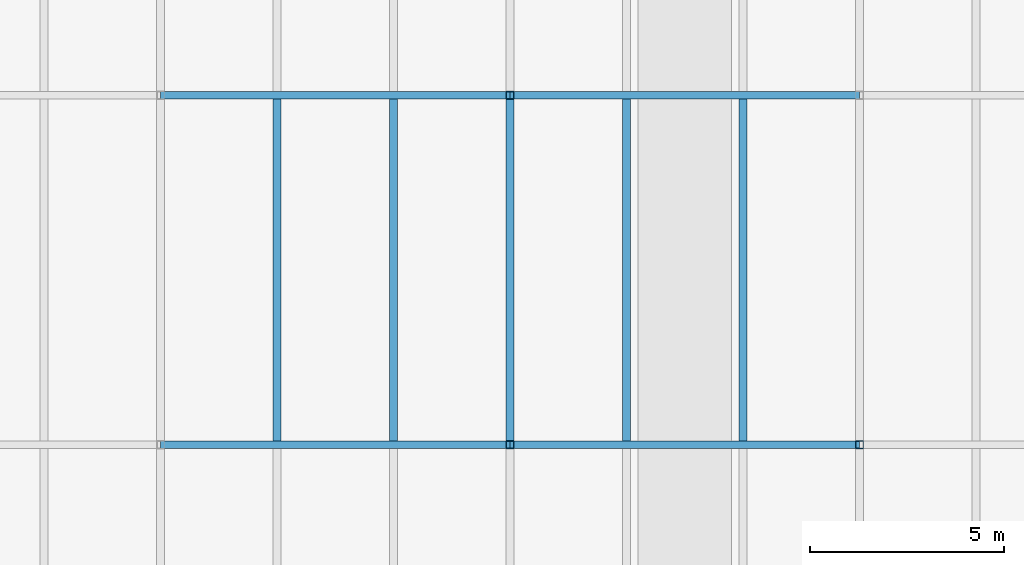
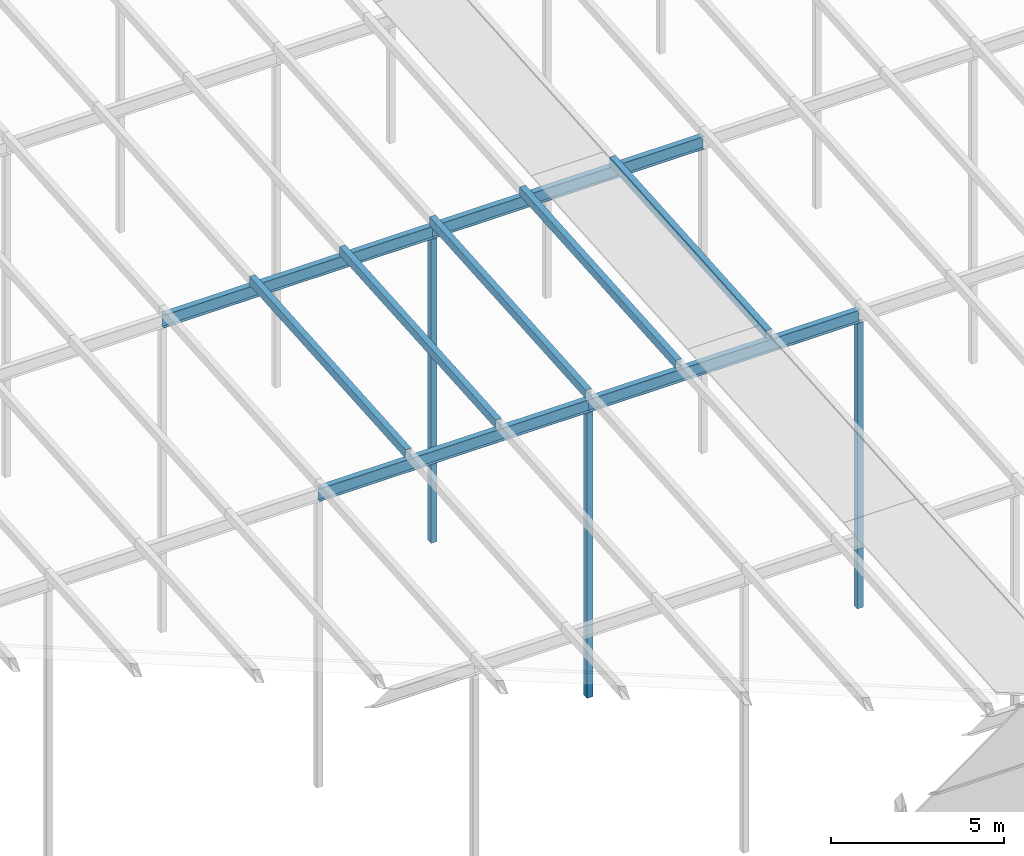
# One storey, part 8 of 84: 8 members, 4 beams.
"""IFC4 building model written with IfcOpenShell, lengths in metres."""

from ifc_helpers import new_model, si_unit, direction, frame, origin, origin_2d, place, context, subcontext, project, spatial, hollow_rectangle, i_section, extrude, material, material_profile, profile_set, type_object, element, save


model = new_model("IFC4")

# Units and contexts
model_context = context("Model", 3, precision=1e-05, world=origin(), true_north=direction((0.0, 1.0)))
body_context = subcontext(model_context, "Body", "Model", "MODEL_VIEW")
ifc_project = project(units=[si_unit("LENGTHUNIT", "METRE"), si_unit("AREAUNIT", "SQUARE_METRE"), si_unit("VOLUMEUNIT", "CUBIC_METRE"), si_unit("PLANEANGLEUNIT", "RADIAN"), si_unit("MASSUNIT", "GRAM", prefix="KILO")], contexts=[model_context])

# Site, building, storey
site_placement = place(None, origin())
site = spatial("IfcSite", under=ifc_project, at=site_placement, CompositionType="ELEMENT")
building_placement = place(site_placement, origin())
building = spatial("IfcBuilding", under=site, at=building_placement, Name="Silverbay Arena", CompositionType="ELEMENT")
storey_placement = place(building_placement, frame((0.0, 0.0, 47.10009765625)))
storey = spatial("IfcBuildingStorey", under=building, at=storey_placement, Name="ROOF", CompositionType="ELEMENT", Elevation=47.10009765625)

# Members
ifc_material_1 = material(Name="Steel S355", Category="steel")
ifc_material_profile_1 = material_profile(ifc_material_1, hollow_rectangle(XDim=0.199951171875, YDim=0.300048828125, WallThickness=0.00634765625, at=origin_2d()), Name="RHS 300x200x6.3")
ifc_profile_set_1 = profile_set([ifc_material_profile_1], Name="Steel S355")
member_type_1 = type_object("IfcMemberType", Name="Purlin RHS 300x200x6.3", PredefinedType="PURLIN", material=ifc_profile_set_1)
for number, where, z_axis, x_axis, name in (
    (1, (102.0, 45.0, 10.049560546875), (0.0, 0.997402911363, 0.072023832195), (-1.0, 0.0, 0.0), "ROOF PURLIN crown line 08 bay 03"),
    (2, (105.0, 45.0, 10.049560546875), (0.0, 0.997402911363, 0.072023832195), (-1.0, 0.0, 0.0), "ROOF PURLIN crown line 09 bay 03"),
    (3, (108.0, 45.0, 10.049560546875), (0.0, 0.997402911363, 0.072023832195), (-1.0, 0.0, 0.0), "ROOF PURLIN crown line 10 bay 03"),
    (4, (111.0, 45.0, 10.049560546875), (0.0, 0.997402911363, 0.072023832195), (-1.0, 0.0, 0.0), "ROOF PURLIN crown line 11 bay 03"),
    (5, (114.0, 45.0, 10.049560546875), (0.0, 0.997402911363, 0.072023832195), (-1.0, 0.0, 0.0), "ROOF PURLIN crown line 12 bay 03"),
):
    element("IfcMember", number, at=place(storey_placement, frame(where, z_axis=z_axis, x_axis=x_axis)), inside=storey, type_object=member_type_1, Name=name, PredefinedType="PURLIN", context=body_context, shape_type="SweptSolid", body=[
        extrude(hollow_rectangle(XDim=0.199951171875, YDim=0.300048828125, WallThickness=0.00634765625, at=origin_2d()), origin(), (0.0, 0.0, 1.0), 9.0234375),
    ])

# Beams
ifc_material_2 = material(Name="Steel S355", Category="steel")
ifc_material_profile_2 = material_profile(ifc_material_2, i_section(OverallWidth=0.18994140625, OverallDepth=0.453369140625, WebThickness=0.008544921875, FlangeThickness=0.0126953125, at=origin_2d()), Name="UB 457x191x67")
ifc_profile_set_2 = profile_set([ifc_material_profile_2], Name="Steel S355")
beam_type = type_object("IfcBeamType", Name="Ring beam UB 457x191x67", PredefinedType="BEAM", material=ifc_profile_set_2)
for number, where, z_axis, x_axis, name in (
    (6, (99.0, 45.0, 9.67236328125), (1.0, 0.0, 0.0), (0.0, 1.0, 0.0), "RING BEAM crown row 03 12-13"),
    (7, (108.0, 45.0, 9.67236328125), (1.0, 0.0, 0.0), (0.0, 1.0, 0.0), "RING BEAM crown row 03 13-14"),
    (8, (99.0, 54.0, 10.322509765625), (1.0, 0.0, 0.0), (0.0, 1.0, 0.0), "RING BEAM crown row 04 12-13"),
    (9, (108.0, 54.0, 10.322509765625), (1.0, 0.0, 0.0), (0.0, 1.0, 0.0), "RING BEAM crown row 04 13-14"),
):
    element("IfcBeam", number, at=place(storey_placement, frame(where, z_axis=z_axis, x_axis=x_axis)), inside=storey, type_object=beam_type, Name=name, PredefinedType="BEAM", context=body_context, shape_type="SweptSolid", body=[
        extrude(i_section(OverallWidth=0.18994140625, OverallDepth=0.453369140625, WebThickness=0.008544921875, FlangeThickness=0.0126953125, at=origin_2d()), origin(), (0.0, 0.0, 1.0), 9.0),
    ])

# Members
ifc_material_3 = material(Name="Steel S355", Category="steel")
ifc_material_profile_3 = material_profile(ifc_material_3, hollow_rectangle(XDim=0.199951171875, YDim=0.199951171875, WallThickness=0.008056640625, at=origin_2d()), Name="SHS 200x200x8")
ifc_profile_set_3 = profile_set([ifc_material_profile_3], Name="Steel S355")
member_type_2 = type_object("IfcMemberType", Name="Roof post SHS 200x200x8", PredefinedType="POST", material=ifc_profile_set_3)
member_1_placement = place(storey_placement, frame((108.0, 45.0, -0.60009765625), z_axis=(0.0, 0.0, 1.0), x_axis=(1.0, 0.0, 0.0)))
element("IfcMember", 10, at=member_1_placement, inside=storey, type_object=member_type_2, Name="ROOF CROWN POST 13 row 03", PredefinedType="POST", context=body_context, shape_type="SweptSolid", body=[
    extrude(hollow_rectangle(XDim=0.199951171875, YDim=0.199951171875, WallThickness=0.008056640625, at=origin_2d()), origin(), (0.0, 0.0, 1.0), 10.0458984375),
])
member_2_placement = place(storey_placement, frame((108.0, 54.0, -0.60009765625), z_axis=(0.0, 0.0, 1.0), x_axis=(1.0, 0.0, 0.0)))
element("IfcMember", 11, at=member_2_placement, inside=storey, type_object=member_type_2, Name="ROOF CROWN POST 13 row 04", PredefinedType="POST", context=body_context, shape_type="SweptSolid", body=[
    extrude(hollow_rectangle(XDim=0.199951171875, YDim=0.199951171875, WallThickness=0.008056640625, at=origin_2d()), origin(), (0.0, 0.0, 1.0), 10.69580078125),
])
member_3_placement = place(storey_placement, frame((117.0, 45.0, -0.60009765625), z_axis=(0.0, 0.0, 1.0), x_axis=(1.0, 0.0, 0.0)))
element("IfcMember", 12, at=member_3_placement, inside=storey, type_object=member_type_2, Name="ROOF CROWN POST 14 row 03", PredefinedType="POST", context=body_context, shape_type="SweptSolid", body=[
    extrude(hollow_rectangle(XDim=0.199951171875, YDim=0.199951171875, WallThickness=0.008056640625, at=origin_2d()), origin(), (0.0, 0.0, 1.0), 10.0458984375),
])

save(model, "model.ifc")
